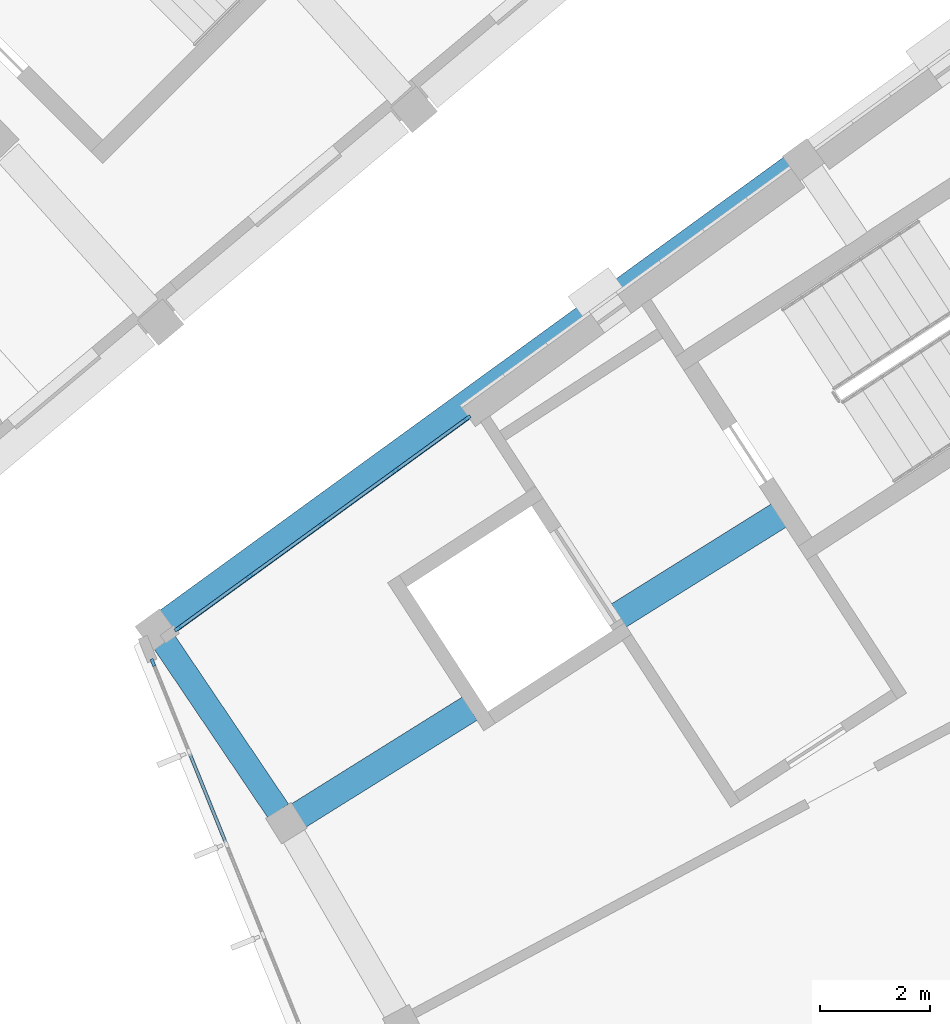
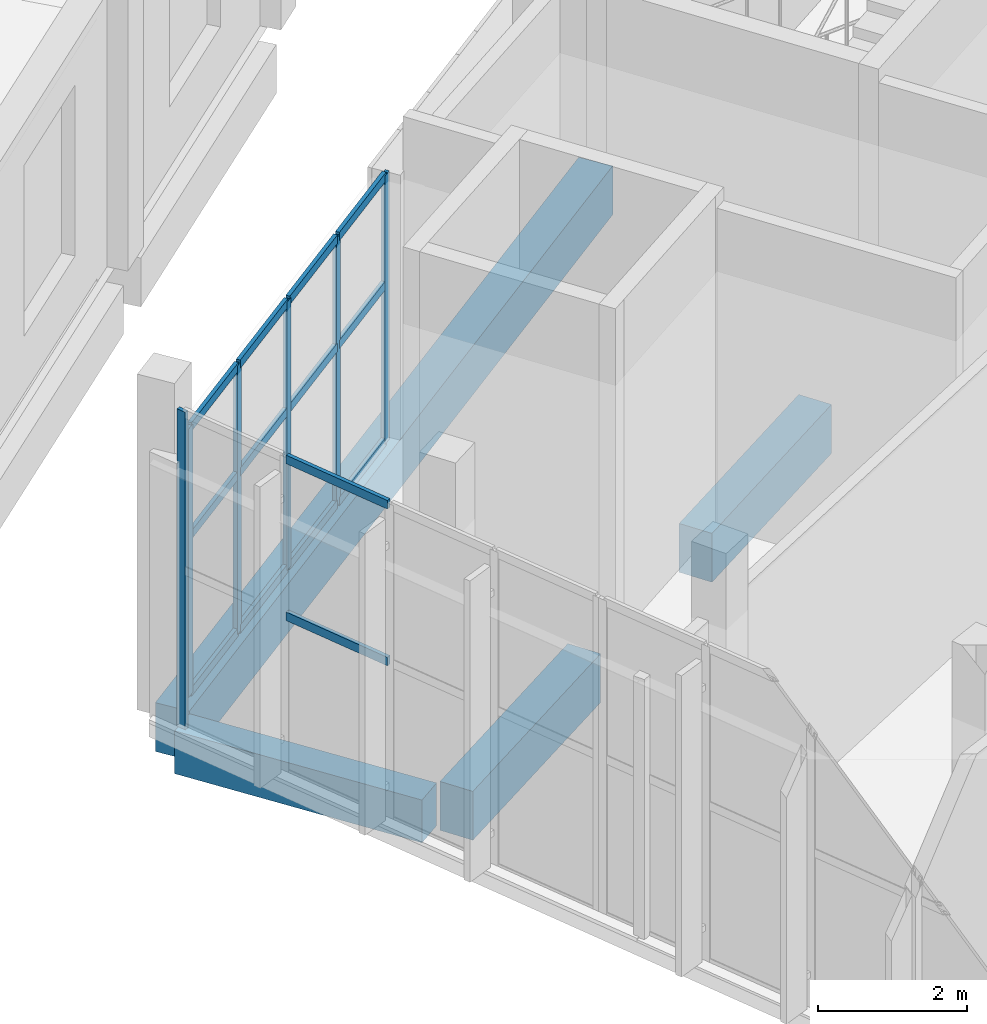
# One storey, part 19 of 87: 20 members, 4 beams, 2 elements without a shape of their own.
"""IFC4 building model written with IfcOpenShell, lengths in metres."""

from ifc_helpers import new_model, si_unit, direction, frame, origin, origin_2d, place, context, subcontext, project, spatial, rectangle, extrude, material, layer, layer_set, material_profile, profile_set, type_object, element, aggregate, save


model = new_model("IFC4")

# Units and contexts
model_context = context("Model", 3, precision=1e-05, world=origin(), true_north=direction((0.0, 1.0)))
body_context = subcontext(model_context, "Body", "Model", "MODEL_VIEW")
ifc_project = project(units=[si_unit("LENGTHUNIT", "METRE"), si_unit("AREAUNIT", "SQUARE_METRE"), si_unit("VOLUMEUNIT", "CUBIC_METRE"), si_unit("PLANEANGLEUNIT", "RADIAN"), si_unit("MASSUNIT", "GRAM", prefix="KILO")], contexts=[model_context])

# Site, building, storey
site_placement = place(None, origin())
site = spatial("IfcSite", under=ifc_project, at=site_placement, CompositionType="ELEMENT")
building_placement = place(site_placement, origin())
building = spatial("IfcBuilding", under=site, at=building_placement, Name="Lunette Opera House", CompositionType="ELEMENT")
storey_placement = place(building_placement, frame((0.0, 0.0, 11.5)))
storey = spatial("IfcBuildingStorey", under=building, at=storey_placement, Name="L02", CompositionType="ELEMENT", Elevation=11.5)

# Curtain wall, member
ifc_material_1 = material(Name="Aluminium", Category="aluminium")
ifc_layer = layer(ifc_material_1, 0.139892578125)
ifc_layer_set = layer_set([ifc_layer], Name="Aluminium")
curtain_wall_type = type_object("IfcCurtainWallType", Name="STUDIO CURTAIN WALL", PredefinedType="NOTDEFINED", material=ifc_layer_set)
curtain_wall_1_placement = place(storey_placement, origin())
curtain_wall_1 = element("IfcCurtainWall", 1, at=curtain_wall_1_placement, inside=storey, type_object=curtain_wall_type, Name="Studio Curtain Wall F01 L02", PredefinedType="NOTDEFINED")
ifc_material_2 = material(Name="Aluminium", Category="aluminium")
ifc_material_profile_1 = material_profile(ifc_material_2, rectangle(XDim=0.06005859375, YDim=0.139892578125, at=origin_2d()), Name="MULLION 60 X 140")
ifc_profile_set_1 = profile_set([ifc_material_profile_1], Name="Aluminium")
member_type_1 = type_object("IfcMemberType", Name="MULLION 60 X 140", PredefinedType="MULLION", material=ifc_profile_set_1)
member_1_placement = place(storey_placement, frame((144.88720703125, 34.97119140625, 0.0), z_axis=(0.0, 0.0, 1.0), x_axis=(0.927167994967, 0.37464584491, 0.0)))
member_1 = element("IfcMember", 2, at=member_1_placement, type_object=member_type_1, Name="SB-X2013 mullion 1", PredefinedType="MULLION", context=body_context, shape_type="SweptSolid", body=[
    extrude(rectangle(XDim=0.06005859375, YDim=0.139892578125, at=origin_2d()), origin(), (0.0, 0.0, 1.0), 5.199951171875),
])

# Curtain wall, members
curtain_wall_2_placement = place(storey_placement, origin())
curtain_wall_2 = element("IfcCurtainWall", 3, at=curtain_wall_2_placement, inside=storey, type_object=curtain_wall_type, Name="Studio Curtain Wall F18 L02", PredefinedType="NOTDEFINED")
member_2_placement = place(storey_placement, frame((150.582763671875, 39.3974609375, 0.0), z_axis=(0.0, 0.0, 1.0), x_axis=(0.587771589927, -0.809026920488, 0.0)))
member_2 = element("IfcMember", 4, at=member_2_placement, type_object=member_type_1, Name="SB-X2018 mullion 1", PredefinedType="MULLION", context=body_context, shape_type="SweptSolid", body=[
    extrude(rectangle(XDim=0.06005859375, YDim=0.139892578125, at=origin_2d()), origin(), (0.0, 0.0, 1.0), 4.39990234375),
])
member_3_placement = place(storey_placement, frame((149.2841796875, 38.4541015625, 0.0), z_axis=(0.0, 0.0, 1.0), x_axis=(0.587771589927, -0.809026920488, 0.0)))
member_3 = element("IfcMember", 5, at=member_3_placement, type_object=member_type_1, Name="SB-X2018 mullion 2", PredefinedType="MULLION", context=body_context, shape_type="SweptSolid", body=[
    extrude(rectangle(XDim=0.06005859375, YDim=0.139892578125, at=origin_2d()), origin(), (0.0, 0.0, 1.0), 4.39990234375),
])
member_4_placement = place(storey_placement, frame((147.96142578125, 37.492919921875, 0.0), z_axis=(0.0, 0.0, 1.0), x_axis=(0.587771589927, -0.809026920488, 0.0)))
member_4 = element("IfcMember", 6, at=member_4_placement, type_object=member_type_1, Name="SB-X2018 mullion 3", PredefinedType="MULLION", context=body_context, shape_type="SweptSolid", body=[
    extrude(rectangle(XDim=0.06005859375, YDim=0.139892578125, at=origin_2d()), origin(), (0.0, 0.0, 1.0), 4.39990234375),
])
member_5_placement = place(storey_placement, frame((146.638671875, 36.531982421875, 0.0), z_axis=(0.0, 0.0, 1.0), x_axis=(0.587771589927, -0.809026920488, 0.0)))
member_5 = element("IfcMember", 7, at=member_5_placement, type_object=member_type_1, Name="SB-X2018 mullion 4", PredefinedType="MULLION", context=body_context, shape_type="SweptSolid", body=[
    extrude(rectangle(XDim=0.06005859375, YDim=0.139892578125, at=origin_2d()), origin(), (0.0, 0.0, 1.0), 4.39990234375),
])
member_6_placement = place(storey_placement, frame((145.34033203125, 35.588623046875, 0.0), z_axis=(0.0, 0.0, 1.0), x_axis=(0.587771589927, -0.809026920488, 0.0)))
member_6 = element("IfcMember", 8, at=member_6_placement, type_object=member_type_1, Name="SB-X2018 mullion 5", PredefinedType="MULLION", context=body_context, shape_type="SweptSolid", body=[
    extrude(rectangle(XDim=0.06005859375, YDim=0.139892578125, at=origin_2d()), origin(), (0.0, 0.0, 1.0), 4.39990234375),
])

# Beams
ifc_material_3 = material(Name="Concrete C35/45", Category="concrete")
ifc_material_profile_2 = material_profile(ifc_material_3, rectangle(XDim=0.449951171875, YDim=0.699951171875, at=origin_2d()), Name="RC BEAM 450X700")
ifc_profile_set_2 = profile_set([ifc_material_profile_2], Name="Concrete C35/45")
beam_type_1 = type_object("IfcBeamType", Name="RC BEAM 450X700", PredefinedType="BEAM", material=ifc_profile_set_2)
beam_1_placement = place(storey_placement, frame((145.093994140625, 35.341064453125, -0.570068359375), z_axis=(0.559238901912, -0.829006544358, 0.0), x_axis=(0.829006544358, 0.559238901912, 0.0)))
element("IfcBeam", 9, at=beam_1_placement, inside=storey, type_object=beam_type_1, Name="beam-SB-L02-L02-RG00", PredefinedType="BEAM", context=body_context, shape_type="SweptSolid", body=[
    extrude(rectangle(XDim=0.449951171875, YDim=0.699951171875, at=origin_2d()), origin(), (0.0, 0.0, 1.0), 3.6923828125),
])
ifc_material_4 = material(Name="Concrete C35/45", Category="concrete")
ifc_material_profile_3 = material_profile(ifc_material_4, rectangle(XDim=0.5, YDim=0.800048828125, at=origin_2d()), Name="RC BEAM 500X800")
ifc_profile_set_3 = profile_set([ifc_material_profile_3], Name="Concrete C35/45")
beam_type_2 = type_object("IfcBeamType", Name="RC BEAM 500X800", PredefinedType="BEAM", material=ifc_profile_set_3)
beam_2_placement = place(storey_placement, frame((145.159912109375, 35.717041015625, -0.6201171875), z_axis=(0.809032229307, 0.587764282636, 0.0), x_axis=(-0.587764282636, 0.809032229307, 0.0)))
element("IfcBeam", 10, at=beam_2_placement, inside=storey, type_object=beam_type_2, Name="beam-SB-L02-L02-RB00", PredefinedType="BEAM", context=body_context, shape_type="SweptSolid", body=[
    extrude(rectangle(XDim=0.5, YDim=0.800048828125, at=origin_2d()), origin(), (0.0, 0.0, 1.0), 13.9697265625),
])
beam_3_placement = place(storey_placement, frame((147.531982421875, 32.200927734375, -0.6201171875), z_axis=(0.848110889275, 0.529818760986, 0.0), x_axis=(-0.529818760986, 0.848110889275, 0.0)))
element("IfcBeam", 11, at=beam_3_placement, inside=storey, type_object=beam_type_2, Name="beam-SB-L02-L02-RB01", PredefinedType="BEAM", context=body_context, shape_type="SweptSolid", body=[
    extrude(rectangle(XDim=0.5, YDim=0.800048828125, at=origin_2d()), origin(), (0.0, 0.0, 1.0), 3.654052734375),
])
beam_4_placement = place(storey_placement, frame((153.3291015625, 35.822998046875, -0.6201171875), z_axis=(0.848054454248, 0.529909089024, 0.0), x_axis=(-0.529909089024, 0.848054454248, 0.0)))
element("IfcBeam", 12, at=beam_4_placement, inside=storey, type_object=beam_type_2, Name="beam-SB-L02-L02-RB01-1", PredefinedType="BEAM", context=body_context, shape_type="SweptSolid", body=[
    extrude(rectangle(XDim=0.5, YDim=0.800048828125, at=origin_2d()), origin(), (0.0, 0.0, 1.0), 3.41943359375),
])

# Member
ifc_material_5 = material(Name="Aluminium", Category="aluminium")
ifc_material_profile_4 = material_profile(ifc_material_5, rectangle(XDim=0.06005859375, YDim=0.139892578125, at=origin_2d()), Name="TRANSOM 60 X 140")
ifc_profile_set_4 = profile_set([ifc_material_profile_4], Name="Aluminium")
member_type_2 = type_object("IfcMemberType", Name="TRANSOM 60 X 140", PredefinedType="USERDEFINED", material=ifc_profile_set_4)
member_7_placement = place(storey_placement, frame((145.556396484375, 33.31494140625, 2.60009765625), z_axis=(0.374752968259, -0.92712470185, 0.0), x_axis=(0.92712470185, 0.374752968259, 0.0)))
member_7 = element("IfcMember", 13, at=member_7_placement, type_object=member_type_2, Name="SB-X2013 transom 2.2", ObjectType="TRANSOM", PredefinedType="USERDEFINED", context=body_context, shape_type="SweptSolid", body=[
    extrude(rectangle(XDim=0.06005859375, YDim=0.139892578125, at=origin_2d()), origin(), (0.0, 0.0, 1.0), 1.726318359375),
])

member_8_placement = place(storey_placement, frame((145.556396484375, 33.31494140625, 5.169921875), z_axis=(0.374752968259, -0.92712470185, 0.0), x_axis=(0.92712470185, 0.374752968259, 0.0)))
member_8 = element("IfcMember", 14, at=member_8_placement, type_object=member_type_2, Name="SB-X2013 transom 2.3", ObjectType="TRANSOM", PredefinedType="USERDEFINED", context=body_context, shape_type="SweptSolid", body=[
    extrude(rectangle(XDim=0.06005859375, YDim=0.139892578125, at=origin_2d()), origin(), (0.0, 0.0, 1.0), 1.726318359375),
])

aggregate(curtain_wall_1, [member_1, member_7, member_8])

member_9_placement = place(storey_placement, frame((150.558349609375, 39.379638671875, 0.030029296875), z_axis=(-0.809029860719, -0.587767542882, 0.0), x_axis=(0.587767542882, -0.809029860719, 0.0)))
member_9 = element("IfcMember", 15, at=member_9_placement, type_object=member_type_2, Name="SB-X2018 transom 1.1", ObjectType="TRANSOM", PredefinedType="USERDEFINED", context=body_context, shape_type="SweptSolid", body=[
    extrude(rectangle(XDim=0.06005859375, YDim=0.139892578125, at=origin_2d()), origin(), (0.0, 0.0, 1.0), 1.544677734375),
])

member_10_placement = place(storey_placement, frame((150.558349609375, 39.379638671875, 2.60009765625), z_axis=(-0.809029860719, -0.587767542882, 0.0), x_axis=(0.587767542882, -0.809029860719, 0.0)))
member_10 = element("IfcMember", 16, at=member_10_placement, type_object=member_type_2, Name="SB-X2018 transom 1.2", ObjectType="TRANSOM", PredefinedType="USERDEFINED", context=body_context, shape_type="SweptSolid", body=[
    extrude(rectangle(XDim=0.06005859375, YDim=0.139892578125, at=origin_2d()), origin(), (0.0, 0.0, 1.0), 1.544677734375),
])

member_11_placement = place(storey_placement, frame((150.558349609375, 39.379638671875, 4.3701171875), z_axis=(-0.809029860719, -0.587767542882, 0.0), x_axis=(0.587767542882, -0.809029860719, 0.0)))
member_11 = element("IfcMember", 17, at=member_11_placement, type_object=member_type_2, Name="SB-X2018 transom 1.3", ObjectType="TRANSOM", PredefinedType="USERDEFINED", context=body_context, shape_type="SweptSolid", body=[
    extrude(rectangle(XDim=0.06005859375, YDim=0.139892578125, at=origin_2d()), origin(), (0.0, 0.0, 1.0), 1.544677734375),
])

member_12_placement = place(storey_placement, frame((149.260009765625, 38.436279296875, 0.030029296875), z_axis=(-0.809077841645, -0.587701494094, 0.0), x_axis=(0.587701494094, -0.809077841645, 0.0)))
member_12 = element("IfcMember", 18, at=member_12_placement, type_object=member_type_2, Name="SB-X2018 transom 2.1", ObjectType="TRANSOM", PredefinedType="USERDEFINED", context=body_context, shape_type="SweptSolid", body=[
    extrude(rectangle(XDim=0.06005859375, YDim=0.139892578125, at=origin_2d()), origin(), (0.0, 0.0, 1.0), 1.574951171875),
])

member_13_placement = place(storey_placement, frame((149.260009765625, 38.436279296875, 2.60009765625), z_axis=(-0.809077841645, -0.587701494094, 0.0), x_axis=(0.587701494094, -0.809077841645, 0.0)))
member_13 = element("IfcMember", 19, at=member_13_placement, type_object=member_type_2, Name="SB-X2018 transom 2.2", ObjectType="TRANSOM", PredefinedType="USERDEFINED", context=body_context, shape_type="SweptSolid", body=[
    extrude(rectangle(XDim=0.06005859375, YDim=0.139892578125, at=origin_2d()), origin(), (0.0, 0.0, 1.0), 1.574951171875),
])

member_14_placement = place(storey_placement, frame((149.260009765625, 38.436279296875, 4.3701171875), z_axis=(-0.809077841645, -0.587701494094, 0.0), x_axis=(0.587701494094, -0.809077841645, 0.0)))
member_14 = element("IfcMember", 20, at=member_14_placement, type_object=member_type_2, Name="SB-X2018 transom 2.3", ObjectType="TRANSOM", PredefinedType="USERDEFINED", context=body_context, shape_type="SweptSolid", body=[
    extrude(rectangle(XDim=0.06005859375, YDim=0.139892578125, at=origin_2d()), origin(), (0.0, 0.0, 1.0), 1.574951171875),
])

member_15_placement = place(storey_placement, frame((147.937255859375, 37.475341796875, 0.030029296875), z_axis=(-0.809004127975, -0.587802960966, 0.0), x_axis=(0.587802960966, -0.809004127975, 0.0)))
member_15 = element("IfcMember", 21, at=member_15_placement, type_object=member_type_2, Name="SB-X2018 transom 3.1", ObjectType="TRANSOM", PredefinedType="USERDEFINED", context=body_context, shape_type="SweptSolid", body=[
    extrude(rectangle(XDim=0.06005859375, YDim=0.139892578125, at=origin_2d()), origin(), (0.0, 0.0, 1.0), 1.574951171875),
])

member_16_placement = place(storey_placement, frame((147.937255859375, 37.475341796875, 2.60009765625), z_axis=(-0.809004127975, -0.587802960966, 0.0), x_axis=(0.587802960966, -0.809004127975, 0.0)))
member_16 = element("IfcMember", 22, at=member_16_placement, type_object=member_type_2, Name="SB-X2018 transom 3.2", ObjectType="TRANSOM", PredefinedType="USERDEFINED", context=body_context, shape_type="SweptSolid", body=[
    extrude(rectangle(XDim=0.06005859375, YDim=0.139892578125, at=origin_2d()), origin(), (0.0, 0.0, 1.0), 1.574951171875),
])

member_17_placement = place(storey_placement, frame((147.937255859375, 37.475341796875, 4.3701171875), z_axis=(-0.809004127975, -0.587802960966, 0.0), x_axis=(0.587802960966, -0.809004127975, 0.0)))
member_17 = element("IfcMember", 23, at=member_17_placement, type_object=member_type_2, Name="SB-X2018 transom 3.3", ObjectType="TRANSOM", PredefinedType="USERDEFINED", context=body_context, shape_type="SweptSolid", body=[
    extrude(rectangle(XDim=0.06005859375, YDim=0.139892578125, at=origin_2d()), origin(), (0.0, 0.0, 1.0), 1.574951171875),
])

member_18_placement = place(storey_placement, frame((146.614501953125, 36.514404296875, 0.030029296875), z_axis=(-0.809009310944, -0.587795827483, 0.0), x_axis=(0.587795827483, -0.809009310944, 0.0)))
member_18 = element("IfcMember", 24, at=member_18_placement, type_object=member_type_2, Name="SB-X2018 transom 4.1", ObjectType="TRANSOM", PredefinedType="USERDEFINED", context=body_context, shape_type="SweptSolid", body=[
    extrude(rectangle(XDim=0.06005859375, YDim=0.139892578125, at=origin_2d()), origin(), (0.0, 0.0, 1.0), 1.545166015625),
])

member_19_placement = place(storey_placement, frame((146.614501953125, 36.514404296875, 2.60009765625), z_axis=(-0.809009310944, -0.587795827483, 0.0), x_axis=(0.587795827483, -0.809009310944, 0.0)))
member_19 = element("IfcMember", 25, at=member_19_placement, type_object=member_type_2, Name="SB-X2018 transom 4.2", ObjectType="TRANSOM", PredefinedType="USERDEFINED", context=body_context, shape_type="SweptSolid", body=[
    extrude(rectangle(XDim=0.06005859375, YDim=0.139892578125, at=origin_2d()), origin(), (0.0, 0.0, 1.0), 1.545166015625),
])

member_20_placement = place(storey_placement, frame((146.614501953125, 36.514404296875, 4.3701171875), z_axis=(-0.809009310944, -0.587795827483, 0.0), x_axis=(0.587795827483, -0.809009310944, 0.0)))
member_20 = element("IfcMember", 26, at=member_20_placement, type_object=member_type_2, Name="SB-X2018 transom 4.3", ObjectType="TRANSOM", PredefinedType="USERDEFINED", context=body_context, shape_type="SweptSolid", body=[
    extrude(rectangle(XDim=0.06005859375, YDim=0.139892578125, at=origin_2d()), origin(), (0.0, 0.0, 1.0), 1.545166015625),
])

aggregate(curtain_wall_2, [member_2, member_3, member_4, member_5, member_6, member_9, member_10, member_11, member_12, member_13, member_14, member_15, member_16, member_17, member_18, member_19, member_20])

save(model, "model.ifc")
